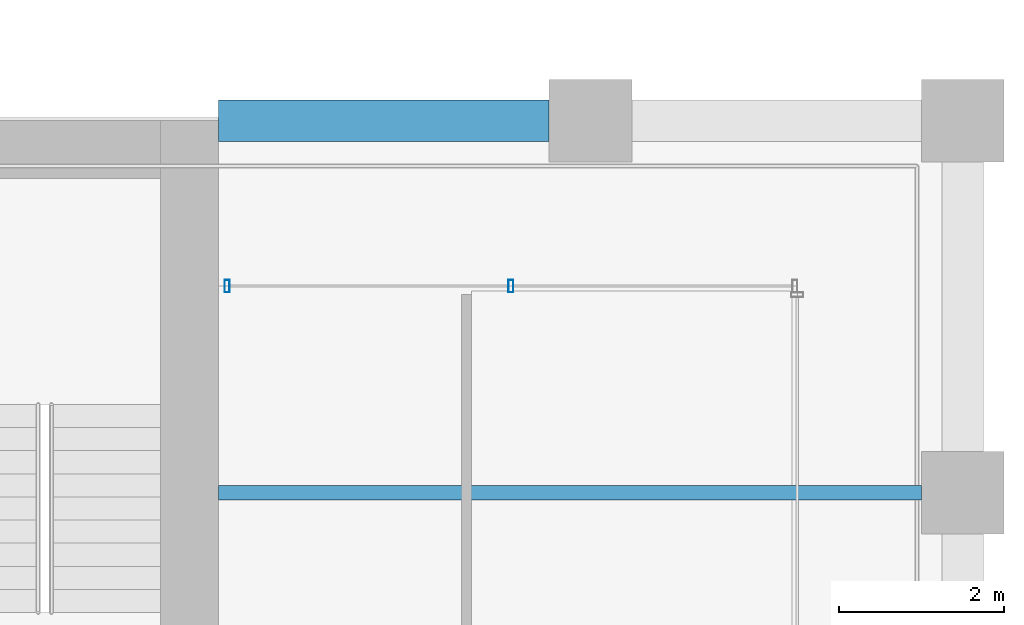
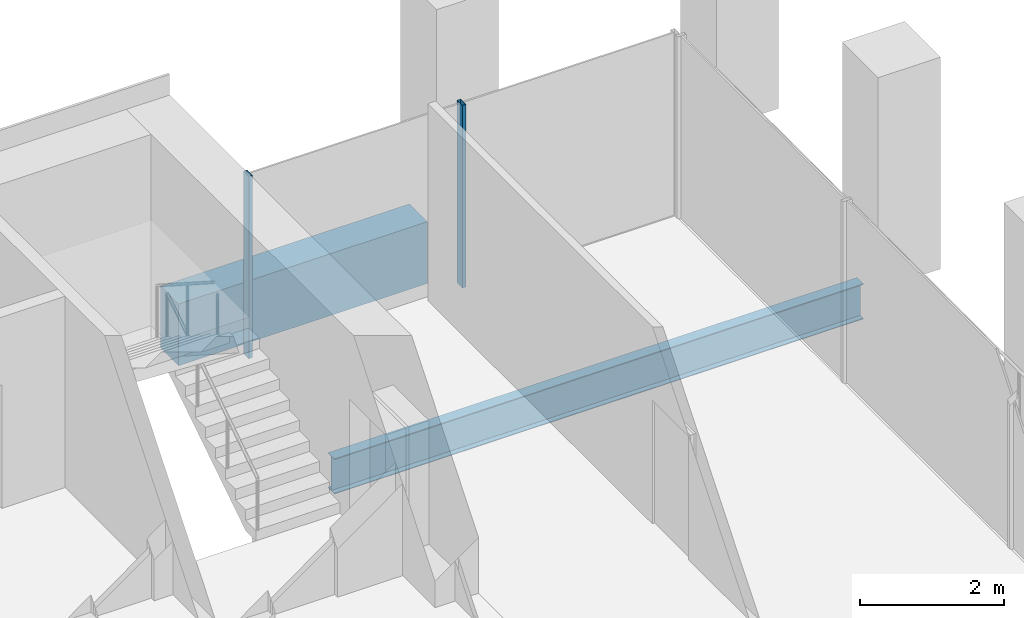
# One storey, part 36 of 45: 2 beams, 2 members, 1 element without a shape of its own.
"""IFC4 building model written with IfcOpenShell, lengths in metres."""

from ifc_helpers import new_model, si_unit, direction, frame, origin, origin_2d, place, context, subcontext, project, spatial, rectangle, hollow_rectangle, i_section, extrude, material, material_profile, profile_set, type_object, element, aggregate, save


model = new_model("IFC4")

# Units and contexts
model_context = context("Model", 3, precision=1e-05, world=origin(), true_north=direction((0.0, 1.0)))
body_context = subcontext(model_context, "Body", "Model", "MODEL_VIEW")
ifc_project = project(units=[si_unit("LENGTHUNIT", "METRE"), si_unit("AREAUNIT", "SQUARE_METRE"), si_unit("VOLUMEUNIT", "CUBIC_METRE"), si_unit("PLANEANGLEUNIT", "RADIAN"), si_unit("MASSUNIT", "GRAM", prefix="KILO")], contexts=[model_context])

# Site, building, storey
site_placement = place(None, origin())
site = spatial("IfcSite", under=ifc_project, at=site_placement, CompositionType="ELEMENT")
building_placement = place(site_placement, origin())
building = spatial("IfcBuilding", under=site, at=building_placement, Name="Altepetl Exchange Towers", CompositionType="ELEMENT")
storey_placement = place(building_placement, frame((0.0, 0.0, 110.0)))
storey = spatial("IfcBuildingStorey", under=building, at=storey_placement, Name="L27", CompositionType="ELEMENT", Elevation=110.0)

# Beam
ifc_material_1 = material(Name="Steel S355", Category="steel")
ifc_material_profile_1 = material_profile(ifc_material_1, i_section(OverallWidth=0.177978515625, OverallDepth=0.59912109375, WebThickness=0.010009765625, FlangeThickness=0.0126953125, at=origin_2d()), Name="W24X55")
ifc_profile_set_1 = profile_set([ifc_material_profile_1], Name="Steel S355")
beam_type_1 = type_object("IfcBeamType", Name="Floor beam W24X55", PredefinedType="BEAM", material=ifc_profile_set_1)
beam_1_placement = place(storey_placement, frame((117.0, 45.0, -0.449462890625), z_axis=(1.0, 0.0, 0.0), x_axis=(0.0, 1.0, 0.0)))
element("IfcBeam", 1, at=beam_1_placement, inside=storey, type_object=beam_type_1, Name="bm:B:L27:003", PredefinedType="BEAM", context=body_context, shape_type="SweptSolid", body=[
    extrude(i_section(OverallWidth=0.177978515625, OverallDepth=0.59912109375, WebThickness=0.010009765625, FlangeThickness=0.0126953125, at=origin_2d()), origin(), (0.0, 0.0, 1.0), 8.5),
])

# Curtain wall, members
ifc_material_2 = material(Name="Aluminium 6063-T6 glazing", Category="aluminium")
curtain_wall_type = type_object("IfcCurtainWallType", Name="Loggia glazing system", PredefinedType="NOTDEFINED", material=ifc_material_2)
curtain_wall_placement = place(storey_placement, origin())
curtain_wall = element("IfcCurtainWall", 2, at=curtain_wall_placement, inside=storey, type_object=curtain_wall_type, Name="CW1 run", PredefinedType="NOTDEFINED")
ifc_material_3 = material(Name="Aluminium 6063-T6", Category="aluminium")
ifc_material_profile_2 = material_profile(ifc_material_3, hollow_rectangle(XDim=0.06005859375, YDim=0.14990234375, WallThickness=0.0029296875, at=origin_2d()), Name="Mullion 60x150 aluminium")
ifc_profile_set_2 = profile_set([ifc_material_profile_2], Name="Aluminium 6063-T6")
member_type = type_object("IfcMemberType", Name="Mullion 60x150 aluminium", PredefinedType="MULLION", material=ifc_profile_set_2)
member_1_placement = place(storey_placement, frame((120.53759765625, 47.5, 0.0), z_axis=(0.0, 0.0, 1.0), x_axis=(-1.0, 0.0, 0.0)))
member_1 = element("IfcMember", 3, at=member_1_placement, type_object=member_type, Name="MU1 mullion", PredefinedType="MULLION", context=body_context, shape_type="SweptSolid", body=[
    extrude(hollow_rectangle(XDim=0.06005859375, YDim=0.14990234375, WallThickness=0.0029296875, at=origin_2d()), origin(), (0.0, 0.0, 1.0), 3.10009765625),
])
member_2_placement = place(storey_placement, frame((117.10498046875, 47.5, 0.0), z_axis=(0.0, 0.0, 1.0), x_axis=(-1.0, 0.0, 0.0)))
member_2 = element("IfcMember", 4, at=member_2_placement, type_object=member_type, Name="MU1 mullion", PredefinedType="MULLION", context=body_context, shape_type="SweptSolid", body=[
    extrude(hollow_rectangle(XDim=0.06005859375, YDim=0.14990234375, WallThickness=0.0029296875, at=origin_2d()), origin(), (0.0, 0.0, 1.0), 3.10009765625),
])
aggregate(curtain_wall, [member_1, member_2])

# Beam
ifc_material_4 = material(Name="Concrete C50/60 precast with cantera amarilla facing", Category="concrete")
ifc_material_profile_3 = material_profile(ifc_material_4, rectangle(XDim=0.5, YDim=1.050048828125, at=origin_2d()), Name="500 x 1050")
ifc_profile_set_3 = profile_set([ifc_material_profile_3], Name="Concrete C50/60 precast with cantera amarilla facing")
beam_type_2 = type_object("IfcBeamType", Name="Spandrel beam 500x1050 cantera amarilla", PredefinedType="SPANDREL", material=ifc_profile_set_3)
beam_2_placement = place(storey_placement, frame((121.0, 49.5, -0.675048828125), z_axis=(-1.0, 0.0, 0.0), x_axis=(0.0, -1.0, 0.0)))
element("IfcBeam", 5, at=beam_2_placement, inside=storey, type_object=beam_type_2, Name="sp:B:L27:014", PredefinedType="SPANDREL", context=body_context, shape_type="SweptSolid", body=[
    extrude(rectangle(XDim=0.5, YDim=1.050048828125, at=origin_2d()), origin(), (0.0, 0.0, 1.0), 4.0),
])

save(model, "model.ifc")
